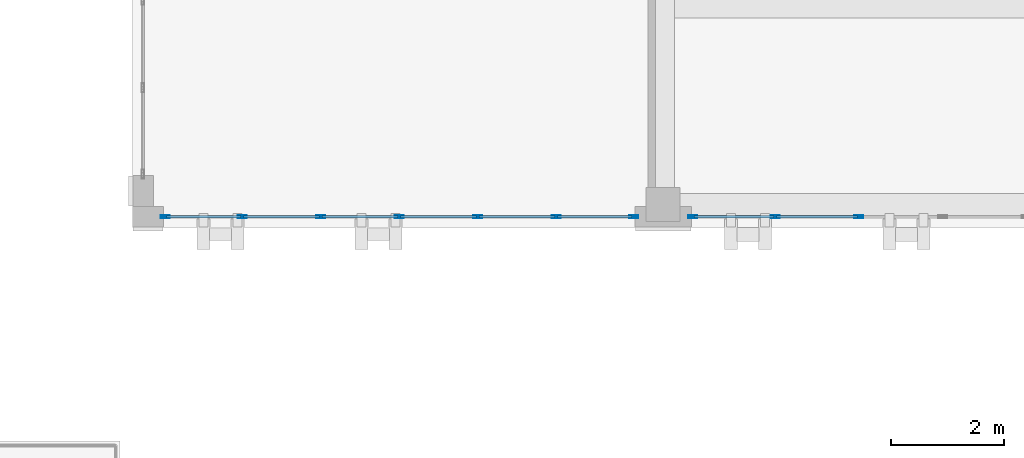
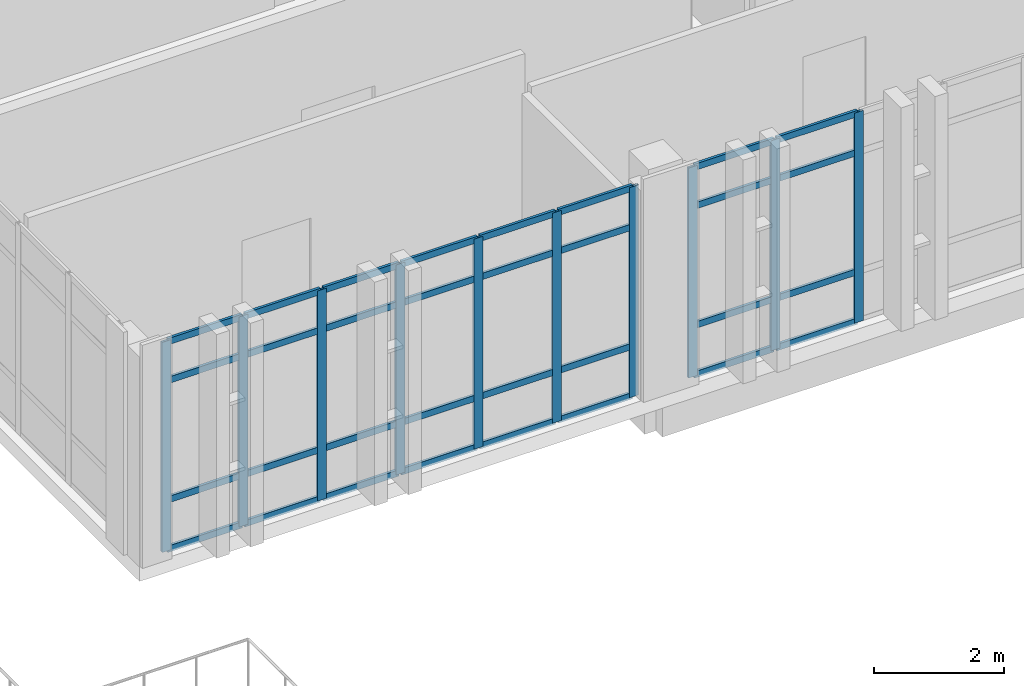
# One storey, part 19 of 77: 42 members, 2 elements without a shape of their own.
"""IFC4 building model written with IfcOpenShell, lengths in metres."""

from ifc_helpers import new_model, si_unit, direction, frame, origin, origin_2d, place, context, subcontext, project, spatial, hollow_rectangle, extrude, material, layer, layer_set, material_profile, profile_set, type_object, element, aggregate, save


model = new_model("IFC4")

# Units and contexts
model_context = context("Model", 3, precision=1e-05, world=origin(), true_north=direction((0.0, 1.0)))
body_context = subcontext(model_context, "Body", "Model", "MODEL_VIEW")
ifc_project = project(units=[si_unit("LENGTHUNIT", "METRE"), si_unit("AREAUNIT", "SQUARE_METRE"), si_unit("VOLUMEUNIT", "CUBIC_METRE"), si_unit("PLANEANGLEUNIT", "RADIAN"), si_unit("MASSUNIT", "GRAM", prefix="KILO")], contexts=[model_context])

# Site, building, storey
site_placement = place(None, origin())
site = spatial("IfcSite", under=ifc_project, at=site_placement, CompositionType="ELEMENT")
building_placement = place(site_placement, origin())
building = spatial("IfcBuilding", under=site, at=building_placement, Name="Qalavern Law Courts", CompositionType="ELEMENT")
storey_placement = place(building_placement, frame((0.0, 0.0, 27.0)))
storey = spatial("IfcBuildingStorey", under=building, at=storey_placement, Name="L06", CompositionType="ELEMENT", Elevation=27.0)

# Curtain wall, members
ifc_material_1 = material(Name="Anodised aluminium and insulated glazing", Category="aluminium")
ifc_layer = layer(ifc_material_1, 0.166015625)
ifc_layer_set = layer_set([ifc_layer], Name="Anodised aluminium and insulated glazing")
curtain_wall_type = type_object("IfcCurtainWallType", Name="ENV-CW-LIB", PredefinedType="USERDEFINED", material=ifc_layer_set)
curtain_wall_1_placement = place(storey_placement, origin())
curtain_wall_1 = element("IfcCurtainWall", 1, at=curtain_wall_1_placement, inside=storey, type_object=curtain_wall_type, Name="V5 unitised curtain wall L06 south 1", ObjectType="UNITISED CURTAIN WALL", PredefinedType="USERDEFINED")
ifc_material_2 = material(Name="Anodised aluminium", Category="aluminium")
ifc_material_profile_1 = material_profile(ifc_material_2, hollow_rectangle(XDim=0.048095703125, YDim=0.159912109375, WallThickness=0.00390625, at=origin_2d()), Name="ALU MULLION 48x160")
ifc_profile_set_1 = profile_set([ifc_material_profile_1], Name="Anodised aluminium")
member_type_1 = type_object("IfcMemberType", Name="ENV-CWM-48x160", PredefinedType="MULLION", material=ifc_profile_set_1)
member_1_placement = place(storey_placement, frame((19.593994140625, 96.385009765625, 0.0), z_axis=(0.0, 0.0, 1.0), x_axis=(0.0, 1.0, 0.0)))
member_1 = element("IfcMember", 2, at=member_1_placement, type_object=member_type_1, Name="CW-05 mullion 1", PredefinedType="MULLION", context=body_context, shape_type="SweptSolid", body=[
    extrude(hollow_rectangle(XDim=0.048095703125, YDim=0.159912109375, WallThickness=0.00390625, at=origin_2d()), origin(), (0.0, 0.0, 1.0), 3.93505859375),
])
member_2_placement = place(storey_placement, frame((20.958251953125, 96.385009765625, 0.0), z_axis=(0.0, 0.0, 1.0), x_axis=(0.0, 1.0, 0.0)))
member_2 = element("IfcMember", 3, at=member_2_placement, type_object=member_type_1, Name="CW-05 mullion 2", PredefinedType="MULLION", context=body_context, shape_type="SweptSolid", body=[
    extrude(hollow_rectangle(XDim=0.048095703125, YDim=0.159912109375, WallThickness=0.00390625, at=origin_2d()), origin(), (0.0, 0.0, 1.0), 3.93505859375),
])
member_3_placement = place(storey_placement, frame((22.3466796875, 96.385009765625, 0.0), z_axis=(0.0, 0.0, 1.0), x_axis=(0.0, 1.0, 0.0)))
member_3 = element("IfcMember", 4, at=member_3_placement, type_object=member_type_1, Name="CW-05 mullion 3", PredefinedType="MULLION", context=body_context, shape_type="SweptSolid", body=[
    extrude(hollow_rectangle(XDim=0.048095703125, YDim=0.159912109375, WallThickness=0.00390625, at=origin_2d()), origin(), (0.0, 0.0, 1.0), 3.93505859375),
])
member_4_placement = place(storey_placement, frame((23.735107421875, 96.385009765625, 0.0), z_axis=(0.0, 0.0, 1.0), x_axis=(0.0, 1.0, 0.0)))
member_4 = element("IfcMember", 5, at=member_4_placement, type_object=member_type_1, Name="CW-05 mullion 4", PredefinedType="MULLION", context=body_context, shape_type="SweptSolid", body=[
    extrude(hollow_rectangle(XDim=0.048095703125, YDim=0.159912109375, WallThickness=0.00390625, at=origin_2d()), origin(), (0.0, 0.0, 1.0), 3.93505859375),
])
member_5_placement = place(storey_placement, frame((25.123291015625, 96.385009765625, 0.0), z_axis=(0.0, 0.0, 1.0), x_axis=(0.0, 1.0, 0.0)))
member_5 = element("IfcMember", 6, at=member_5_placement, type_object=member_type_1, Name="CW-05 mullion 5", PredefinedType="MULLION", context=body_context, shape_type="SweptSolid", body=[
    extrude(hollow_rectangle(XDim=0.048095703125, YDim=0.159912109375, WallThickness=0.00390625, at=origin_2d()), origin(), (0.0, 0.0, 1.0), 3.93505859375),
])
member_6_placement = place(storey_placement, frame((26.51171875, 96.385009765625, 0.0), z_axis=(0.0, 0.0, 1.0), x_axis=(0.0, 1.0, 0.0)))
member_6 = element("IfcMember", 7, at=member_6_placement, type_object=member_type_1, Name="CW-05 mullion 6", PredefinedType="MULLION", context=body_context, shape_type="SweptSolid", body=[
    extrude(hollow_rectangle(XDim=0.048095703125, YDim=0.159912109375, WallThickness=0.00390625, at=origin_2d()), origin(), (0.0, 0.0, 1.0), 3.93505859375),
])
member_7_placement = place(storey_placement, frame((27.8759765625, 96.385009765625, 0.0), z_axis=(0.0, 0.0, 1.0), x_axis=(0.0, 1.0, 0.0)))
member_7 = element("IfcMember", 8, at=member_7_placement, type_object=member_type_1, Name="CW-05 mullion 7", PredefinedType="MULLION", context=body_context, shape_type="SweptSolid", body=[
    extrude(hollow_rectangle(XDim=0.048095703125, YDim=0.159912109375, WallThickness=0.00390625, at=origin_2d()), origin(), (0.0, 0.0, 1.0), 3.93505859375),
])

curtain_wall_2_placement = place(storey_placement, origin())
curtain_wall_2 = element("IfcCurtainWall", 9, at=curtain_wall_2_placement, inside=storey, type_object=curtain_wall_type, Name="V5 unitised curtain wall L06 south 2", ObjectType="UNITISED CURTAIN WALL", PredefinedType="USERDEFINED")
member_8_placement = place(storey_placement, frame((28.924072265625, 96.385009765625, 0.0), z_axis=(0.0, 0.0, 1.0), x_axis=(0.0, 1.0, 0.0)))
member_8 = element("IfcMember", 10, at=member_8_placement, type_object=member_type_1, Name="CW-05 mullion 1", PredefinedType="MULLION", context=body_context, shape_type="SweptSolid", body=[
    extrude(hollow_rectangle(XDim=0.048095703125, YDim=0.159912109375, WallThickness=0.00390625, at=origin_2d()), origin(), (0.0, 0.0, 1.0), 3.93505859375),
])
member_9_placement = place(storey_placement, frame((30.3798828125, 96.385009765625, 0.0), z_axis=(0.0, 0.0, 1.0), x_axis=(0.0, 1.0, 0.0)))
member_9 = element("IfcMember", 11, at=member_9_placement, type_object=member_type_1, Name="CW-05 mullion 2", PredefinedType="MULLION", context=body_context, shape_type="SweptSolid", body=[
    extrude(hollow_rectangle(XDim=0.048095703125, YDim=0.159912109375, WallThickness=0.00390625, at=origin_2d()), origin(), (0.0, 0.0, 1.0), 3.93505859375),
])
member_10_placement = place(storey_placement, frame((31.860107421875, 96.385009765625, 0.0), z_axis=(0.0, 0.0, 1.0), x_axis=(0.0, 1.0, 0.0)))
member_10 = element("IfcMember", 12, at=member_10_placement, type_object=member_type_1, Name="CW-05 mullion 3", PredefinedType="MULLION", context=body_context, shape_type="SweptSolid", body=[
    extrude(hollow_rectangle(XDim=0.048095703125, YDim=0.159912109375, WallThickness=0.00390625, at=origin_2d()), origin(), (0.0, 0.0, 1.0), 3.93505859375),
])

# Member
ifc_material_profile_2 = material_profile(ifc_material_2, hollow_rectangle(XDim=0.048095703125, YDim=0.1201171875, WallThickness=0.00390625, at=origin_2d()), Name="ALU TRANSOM 48x120")
ifc_profile_set_2 = profile_set([ifc_material_profile_2], Name="Anodised aluminium")
member_type_2 = type_object("IfcMemberType", Name="ENV-CWT-48x120", PredefinedType="USERDEFINED", material=ifc_profile_set_2)
member_11_placement = place(storey_placement, frame((19.617919921875, 96.385009765625, 0.02392578125), z_axis=(1.0, 0.0, 0.0), x_axis=(0.0, 1.0, 0.0)))
member_11 = element("IfcMember", 13, at=member_11_placement, type_object=member_type_2, Name="CW-05 transom 1.1", ObjectType="TRANSOM", PredefinedType="USERDEFINED", context=body_context, shape_type="SweptSolid", body=[
    extrude(hollow_rectangle(XDim=0.048095703125, YDim=0.1201171875, WallThickness=0.00390625, at=origin_2d()), origin(), (0.0, 0.0, 1.0), 1.31640625),
])

member_12_placement = place(storey_placement, frame((19.617919921875, 96.385009765625, 0.949951171875), z_axis=(1.0, 0.0, 0.0), x_axis=(0.0, 1.0, 0.0)))
member_12 = element("IfcMember", 14, at=member_12_placement, type_object=member_type_2, Name="CW-05 transom 1.2", ObjectType="TRANSOM", PredefinedType="USERDEFINED", context=body_context, shape_type="SweptSolid", body=[
    extrude(hollow_rectangle(XDim=0.048095703125, YDim=0.1201171875, WallThickness=0.00390625, at=origin_2d()), origin(), (0.0, 0.0, 1.0), 1.31640625),
])

member_13_placement = place(storey_placement, frame((19.617919921875, 96.385009765625, 3.18505859375), z_axis=(1.0, 0.0, 0.0), x_axis=(0.0, 1.0, 0.0)))
member_13 = element("IfcMember", 15, at=member_13_placement, type_object=member_type_2, Name="CW-05 transom 1.3", ObjectType="TRANSOM", PredefinedType="USERDEFINED", context=body_context, shape_type="SweptSolid", body=[
    extrude(hollow_rectangle(XDim=0.048095703125, YDim=0.1201171875, WallThickness=0.00390625, at=origin_2d()), origin(), (0.0, 0.0, 1.0), 1.31640625),
])

member_14_placement = place(storey_placement, frame((19.617919921875, 96.385009765625, 3.910888671875), z_axis=(1.0, 0.0, 0.0), x_axis=(0.0, 1.0, 0.0)))
member_14 = element("IfcMember", 16, at=member_14_placement, type_object=member_type_2, Name="CW-05 transom 1.4", ObjectType="TRANSOM", PredefinedType="USERDEFINED", context=body_context, shape_type="SweptSolid", body=[
    extrude(hollow_rectangle(XDim=0.048095703125, YDim=0.1201171875, WallThickness=0.00390625, at=origin_2d()), origin(), (0.0, 0.0, 1.0), 1.31640625),
])

member_15_placement = place(storey_placement, frame((20.982421875, 96.385009765625, 0.02392578125), z_axis=(1.0, 0.0, 0.0), x_axis=(0.0, 1.0, 0.0)))
member_15 = element("IfcMember", 17, at=member_15_placement, type_object=member_type_2, Name="CW-05 transom 2.1", ObjectType="TRANSOM", PredefinedType="USERDEFINED", context=body_context, shape_type="SweptSolid", body=[
    extrude(hollow_rectangle(XDim=0.048095703125, YDim=0.1201171875, WallThickness=0.00390625, at=origin_2d()), origin(), (0.0, 0.0, 1.0), 1.34033203125),
])

member_16_placement = place(storey_placement, frame((20.982421875, 96.385009765625, 0.949951171875), z_axis=(1.0, 0.0, 0.0), x_axis=(0.0, 1.0, 0.0)))
member_16 = element("IfcMember", 18, at=member_16_placement, type_object=member_type_2, Name="CW-05 transom 2.2", ObjectType="TRANSOM", PredefinedType="USERDEFINED", context=body_context, shape_type="SweptSolid", body=[
    extrude(hollow_rectangle(XDim=0.048095703125, YDim=0.1201171875, WallThickness=0.00390625, at=origin_2d()), origin(), (0.0, 0.0, 1.0), 1.34033203125),
])

member_17_placement = place(storey_placement, frame((20.982421875, 96.385009765625, 3.18505859375), z_axis=(1.0, 0.0, 0.0), x_axis=(0.0, 1.0, 0.0)))
member_17 = element("IfcMember", 19, at=member_17_placement, type_object=member_type_2, Name="CW-05 transom 2.3", ObjectType="TRANSOM", PredefinedType="USERDEFINED", context=body_context, shape_type="SweptSolid", body=[
    extrude(hollow_rectangle(XDim=0.048095703125, YDim=0.1201171875, WallThickness=0.00390625, at=origin_2d()), origin(), (0.0, 0.0, 1.0), 1.34033203125),
])

member_18_placement = place(storey_placement, frame((20.982421875, 96.385009765625, 3.910888671875), z_axis=(1.0, 0.0, 0.0), x_axis=(0.0, 1.0, 0.0)))
member_18 = element("IfcMember", 20, at=member_18_placement, type_object=member_type_2, Name="CW-05 transom 2.4", ObjectType="TRANSOM", PredefinedType="USERDEFINED", context=body_context, shape_type="SweptSolid", body=[
    extrude(hollow_rectangle(XDim=0.048095703125, YDim=0.1201171875, WallThickness=0.00390625, at=origin_2d()), origin(), (0.0, 0.0, 1.0), 1.34033203125),
])

member_19_placement = place(storey_placement, frame((22.37060546875, 96.385009765625, 0.02392578125), z_axis=(1.0, 0.0, 0.0), x_axis=(0.0, 1.0, 0.0)))
member_19 = element("IfcMember", 21, at=member_19_placement, type_object=member_type_2, Name="CW-05 transom 3.1", ObjectType="TRANSOM", PredefinedType="USERDEFINED", context=body_context, shape_type="SweptSolid", body=[
    extrude(hollow_rectangle(XDim=0.048095703125, YDim=0.1201171875, WallThickness=0.00390625, at=origin_2d()), origin(), (0.0, 0.0, 1.0), 1.34033203125),
])

member_20_placement = place(storey_placement, frame((22.37060546875, 96.385009765625, 0.949951171875), z_axis=(1.0, 0.0, 0.0), x_axis=(0.0, 1.0, 0.0)))
member_20 = element("IfcMember", 22, at=member_20_placement, type_object=member_type_2, Name="CW-05 transom 3.2", ObjectType="TRANSOM", PredefinedType="USERDEFINED", context=body_context, shape_type="SweptSolid", body=[
    extrude(hollow_rectangle(XDim=0.048095703125, YDim=0.1201171875, WallThickness=0.00390625, at=origin_2d()), origin(), (0.0, 0.0, 1.0), 1.34033203125),
])

member_21_placement = place(storey_placement, frame((22.37060546875, 96.385009765625, 3.18505859375), z_axis=(1.0, 0.0, 0.0), x_axis=(0.0, 1.0, 0.0)))
member_21 = element("IfcMember", 23, at=member_21_placement, type_object=member_type_2, Name="CW-05 transom 3.3", ObjectType="TRANSOM", PredefinedType="USERDEFINED", context=body_context, shape_type="SweptSolid", body=[
    extrude(hollow_rectangle(XDim=0.048095703125, YDim=0.1201171875, WallThickness=0.00390625, at=origin_2d()), origin(), (0.0, 0.0, 1.0), 1.34033203125),
])

member_22_placement = place(storey_placement, frame((22.37060546875, 96.385009765625, 3.910888671875), z_axis=(1.0, 0.0, 0.0), x_axis=(0.0, 1.0, 0.0)))
member_22 = element("IfcMember", 24, at=member_22_placement, type_object=member_type_2, Name="CW-05 transom 3.4", ObjectType="TRANSOM", PredefinedType="USERDEFINED", context=body_context, shape_type="SweptSolid", body=[
    extrude(hollow_rectangle(XDim=0.048095703125, YDim=0.1201171875, WallThickness=0.00390625, at=origin_2d()), origin(), (0.0, 0.0, 1.0), 1.34033203125),
])

member_23_placement = place(storey_placement, frame((23.759033203125, 96.385009765625, 0.02392578125), z_axis=(1.0, 0.0, 0.0), x_axis=(0.0, 1.0, 0.0)))
member_23 = element("IfcMember", 25, at=member_23_placement, type_object=member_type_2, Name="CW-05 transom 4.1", ObjectType="TRANSOM", PredefinedType="USERDEFINED", context=body_context, shape_type="SweptSolid", body=[
    extrude(hollow_rectangle(XDim=0.048095703125, YDim=0.1201171875, WallThickness=0.00390625, at=origin_2d()), origin(), (0.0, 0.0, 1.0), 1.34033203125),
])

member_24_placement = place(storey_placement, frame((23.759033203125, 96.385009765625, 0.949951171875), z_axis=(1.0, 0.0, 0.0), x_axis=(0.0, 1.0, 0.0)))
member_24 = element("IfcMember", 26, at=member_24_placement, type_object=member_type_2, Name="CW-05 transom 4.2", ObjectType="TRANSOM", PredefinedType="USERDEFINED", context=body_context, shape_type="SweptSolid", body=[
    extrude(hollow_rectangle(XDim=0.048095703125, YDim=0.1201171875, WallThickness=0.00390625, at=origin_2d()), origin(), (0.0, 0.0, 1.0), 1.34033203125),
])

member_25_placement = place(storey_placement, frame((23.759033203125, 96.385009765625, 3.18505859375), z_axis=(1.0, 0.0, 0.0), x_axis=(0.0, 1.0, 0.0)))
member_25 = element("IfcMember", 27, at=member_25_placement, type_object=member_type_2, Name="CW-05 transom 4.3", ObjectType="TRANSOM", PredefinedType="USERDEFINED", context=body_context, shape_type="SweptSolid", body=[
    extrude(hollow_rectangle(XDim=0.048095703125, YDim=0.1201171875, WallThickness=0.00390625, at=origin_2d()), origin(), (0.0, 0.0, 1.0), 1.34033203125),
])

member_26_placement = place(storey_placement, frame((23.759033203125, 96.385009765625, 3.910888671875), z_axis=(1.0, 0.0, 0.0), x_axis=(0.0, 1.0, 0.0)))
member_26 = element("IfcMember", 28, at=member_26_placement, type_object=member_type_2, Name="CW-05 transom 4.4", ObjectType="TRANSOM", PredefinedType="USERDEFINED", context=body_context, shape_type="SweptSolid", body=[
    extrude(hollow_rectangle(XDim=0.048095703125, YDim=0.1201171875, WallThickness=0.00390625, at=origin_2d()), origin(), (0.0, 0.0, 1.0), 1.34033203125),
])

member_27_placement = place(storey_placement, frame((25.147216796875, 96.385009765625, 0.02392578125), z_axis=(1.0, 0.0, 0.0), x_axis=(0.0, 1.0, 0.0)))
member_27 = element("IfcMember", 29, at=member_27_placement, type_object=member_type_2, Name="CW-05 transom 5.1", ObjectType="TRANSOM", PredefinedType="USERDEFINED", context=body_context, shape_type="SweptSolid", body=[
    extrude(hollow_rectangle(XDim=0.048095703125, YDim=0.1201171875, WallThickness=0.00390625, at=origin_2d()), origin(), (0.0, 0.0, 1.0), 1.34033203125),
])

member_28_placement = place(storey_placement, frame((25.147216796875, 96.385009765625, 0.949951171875), z_axis=(1.0, 0.0, 0.0), x_axis=(0.0, 1.0, 0.0)))
member_28 = element("IfcMember", 30, at=member_28_placement, type_object=member_type_2, Name="CW-05 transom 5.2", ObjectType="TRANSOM", PredefinedType="USERDEFINED", context=body_context, shape_type="SweptSolid", body=[
    extrude(hollow_rectangle(XDim=0.048095703125, YDim=0.1201171875, WallThickness=0.00390625, at=origin_2d()), origin(), (0.0, 0.0, 1.0), 1.34033203125),
])

member_29_placement = place(storey_placement, frame((25.147216796875, 96.385009765625, 3.18505859375), z_axis=(1.0, 0.0, 0.0), x_axis=(0.0, 1.0, 0.0)))
member_29 = element("IfcMember", 31, at=member_29_placement, type_object=member_type_2, Name="CW-05 transom 5.3", ObjectType="TRANSOM", PredefinedType="USERDEFINED", context=body_context, shape_type="SweptSolid", body=[
    extrude(hollow_rectangle(XDim=0.048095703125, YDim=0.1201171875, WallThickness=0.00390625, at=origin_2d()), origin(), (0.0, 0.0, 1.0), 1.34033203125),
])

member_30_placement = place(storey_placement, frame((25.147216796875, 96.385009765625, 3.910888671875), z_axis=(1.0, 0.0, 0.0), x_axis=(0.0, 1.0, 0.0)))
member_30 = element("IfcMember", 32, at=member_30_placement, type_object=member_type_2, Name="CW-05 transom 5.4", ObjectType="TRANSOM", PredefinedType="USERDEFINED", context=body_context, shape_type="SweptSolid", body=[
    extrude(hollow_rectangle(XDim=0.048095703125, YDim=0.1201171875, WallThickness=0.00390625, at=origin_2d()), origin(), (0.0, 0.0, 1.0), 1.34033203125),
])

member_31_placement = place(storey_placement, frame((26.53564453125, 96.385009765625, 0.02392578125), z_axis=(1.0, 0.0, 0.0), x_axis=(0.0, 1.0, 0.0)))
member_31 = element("IfcMember", 33, at=member_31_placement, type_object=member_type_2, Name="CW-05 transom 6.1", ObjectType="TRANSOM", PredefinedType="USERDEFINED", context=body_context, shape_type="SweptSolid", body=[
    extrude(hollow_rectangle(XDim=0.048095703125, YDim=0.1201171875, WallThickness=0.00390625, at=origin_2d()), origin(), (0.0, 0.0, 1.0), 1.31640625),
])

member_32_placement = place(storey_placement, frame((26.53564453125, 96.385009765625, 0.949951171875), z_axis=(1.0, 0.0, 0.0), x_axis=(0.0, 1.0, 0.0)))
member_32 = element("IfcMember", 34, at=member_32_placement, type_object=member_type_2, Name="CW-05 transom 6.2", ObjectType="TRANSOM", PredefinedType="USERDEFINED", context=body_context, shape_type="SweptSolid", body=[
    extrude(hollow_rectangle(XDim=0.048095703125, YDim=0.1201171875, WallThickness=0.00390625, at=origin_2d()), origin(), (0.0, 0.0, 1.0), 1.31640625),
])

member_33_placement = place(storey_placement, frame((26.53564453125, 96.385009765625, 3.18505859375), z_axis=(1.0, 0.0, 0.0), x_axis=(0.0, 1.0, 0.0)))
member_33 = element("IfcMember", 35, at=member_33_placement, type_object=member_type_2, Name="CW-05 transom 6.3", ObjectType="TRANSOM", PredefinedType="USERDEFINED", context=body_context, shape_type="SweptSolid", body=[
    extrude(hollow_rectangle(XDim=0.048095703125, YDim=0.1201171875, WallThickness=0.00390625, at=origin_2d()), origin(), (0.0, 0.0, 1.0), 1.31640625),
])

member_34_placement = place(storey_placement, frame((26.53564453125, 96.385009765625, 3.910888671875), z_axis=(1.0, 0.0, 0.0), x_axis=(0.0, 1.0, 0.0)))
member_34 = element("IfcMember", 36, at=member_34_placement, type_object=member_type_2, Name="CW-05 transom 6.4", ObjectType="TRANSOM", PredefinedType="USERDEFINED", context=body_context, shape_type="SweptSolid", body=[
    extrude(hollow_rectangle(XDim=0.048095703125, YDim=0.1201171875, WallThickness=0.00390625, at=origin_2d()), origin(), (0.0, 0.0, 1.0), 1.31640625),
])

aggregate(curtain_wall_1, [member_1, member_2, member_3, member_4, member_5, member_6, member_7, member_11, member_12, member_13, member_14, member_15, member_16, member_17, member_18, member_19, member_20, member_21, member_22, member_23, member_24, member_25, member_26, member_27, member_28, member_29, member_30, member_31, member_32, member_33, member_34])

member_35_placement = place(storey_placement, frame((28.947998046875, 96.385009765625, 0.02392578125), z_axis=(1.0, 0.0, 0.0), x_axis=(0.0, 1.0, 0.0)))
member_35 = element("IfcMember", 37, at=member_35_placement, type_object=member_type_2, Name="CW-05 transom 1.1", ObjectType="TRANSOM", PredefinedType="USERDEFINED", context=body_context, shape_type="SweptSolid", body=[
    extrude(hollow_rectangle(XDim=0.048095703125, YDim=0.1201171875, WallThickness=0.00390625, at=origin_2d()), origin(), (0.0, 0.0, 1.0), 1.407958984375),
])

member_36_placement = place(storey_placement, frame((28.947998046875, 96.385009765625, 0.949951171875), z_axis=(1.0, 0.0, 0.0), x_axis=(0.0, 1.0, 0.0)))
member_36 = element("IfcMember", 38, at=member_36_placement, type_object=member_type_2, Name="CW-05 transom 1.2", ObjectType="TRANSOM", PredefinedType="USERDEFINED", context=body_context, shape_type="SweptSolid", body=[
    extrude(hollow_rectangle(XDim=0.048095703125, YDim=0.1201171875, WallThickness=0.00390625, at=origin_2d()), origin(), (0.0, 0.0, 1.0), 1.407958984375),
])

member_37_placement = place(storey_placement, frame((28.947998046875, 96.385009765625, 3.18505859375), z_axis=(1.0, 0.0, 0.0), x_axis=(0.0, 1.0, 0.0)))
member_37 = element("IfcMember", 39, at=member_37_placement, type_object=member_type_2, Name="CW-05 transom 1.3", ObjectType="TRANSOM", PredefinedType="USERDEFINED", context=body_context, shape_type="SweptSolid", body=[
    extrude(hollow_rectangle(XDim=0.048095703125, YDim=0.1201171875, WallThickness=0.00390625, at=origin_2d()), origin(), (0.0, 0.0, 1.0), 1.407958984375),
])

member_38_placement = place(storey_placement, frame((28.947998046875, 96.385009765625, 3.910888671875), z_axis=(1.0, 0.0, 0.0), x_axis=(0.0, 1.0, 0.0)))
member_38 = element("IfcMember", 40, at=member_38_placement, type_object=member_type_2, Name="CW-05 transom 1.4", ObjectType="TRANSOM", PredefinedType="USERDEFINED", context=body_context, shape_type="SweptSolid", body=[
    extrude(hollow_rectangle(XDim=0.048095703125, YDim=0.1201171875, WallThickness=0.00390625, at=origin_2d()), origin(), (0.0, 0.0, 1.0), 1.407958984375),
])

member_39_placement = place(storey_placement, frame((30.404052734375, 96.385009765625, 0.02392578125), z_axis=(1.0, 0.0, 0.0), x_axis=(0.0, 1.0, 0.0)))
member_39 = element("IfcMember", 41, at=member_39_placement, type_object=member_type_2, Name="CW-05 transom 2.1", ObjectType="TRANSOM", PredefinedType="USERDEFINED", context=body_context, shape_type="SweptSolid", body=[
    extrude(hollow_rectangle(XDim=0.048095703125, YDim=0.1201171875, WallThickness=0.00390625, at=origin_2d()), origin(), (0.0, 0.0, 1.0), 1.431884765625),
])

member_40_placement = place(storey_placement, frame((30.404052734375, 96.385009765625, 0.949951171875), z_axis=(1.0, 0.0, 0.0), x_axis=(0.0, 1.0, 0.0)))
member_40 = element("IfcMember", 42, at=member_40_placement, type_object=member_type_2, Name="CW-05 transom 2.2", ObjectType="TRANSOM", PredefinedType="USERDEFINED", context=body_context, shape_type="SweptSolid", body=[
    extrude(hollow_rectangle(XDim=0.048095703125, YDim=0.1201171875, WallThickness=0.00390625, at=origin_2d()), origin(), (0.0, 0.0, 1.0), 1.431884765625),
])

member_41_placement = place(storey_placement, frame((30.404052734375, 96.385009765625, 3.18505859375), z_axis=(1.0, 0.0, 0.0), x_axis=(0.0, 1.0, 0.0)))
member_41 = element("IfcMember", 43, at=member_41_placement, type_object=member_type_2, Name="CW-05 transom 2.3", ObjectType="TRANSOM", PredefinedType="USERDEFINED", context=body_context, shape_type="SweptSolid", body=[
    extrude(hollow_rectangle(XDim=0.048095703125, YDim=0.1201171875, WallThickness=0.00390625, at=origin_2d()), origin(), (0.0, 0.0, 1.0), 1.431884765625),
])

member_42_placement = place(storey_placement, frame((30.404052734375, 96.385009765625, 3.910888671875), z_axis=(1.0, 0.0, 0.0), x_axis=(0.0, 1.0, 0.0)))
member_42 = element("IfcMember", 44, at=member_42_placement, type_object=member_type_2, Name="CW-05 transom 2.4", ObjectType="TRANSOM", PredefinedType="USERDEFINED", context=body_context, shape_type="SweptSolid", body=[
    extrude(hollow_rectangle(XDim=0.048095703125, YDim=0.1201171875, WallThickness=0.00390625, at=origin_2d()), origin(), (0.0, 0.0, 1.0), 1.431884765625),
])

aggregate(curtain_wall_2, [member_8, member_9, member_10, member_35, member_36, member_37, member_38, member_39, member_40, member_41, member_42])

save(model, "model.ifc")
